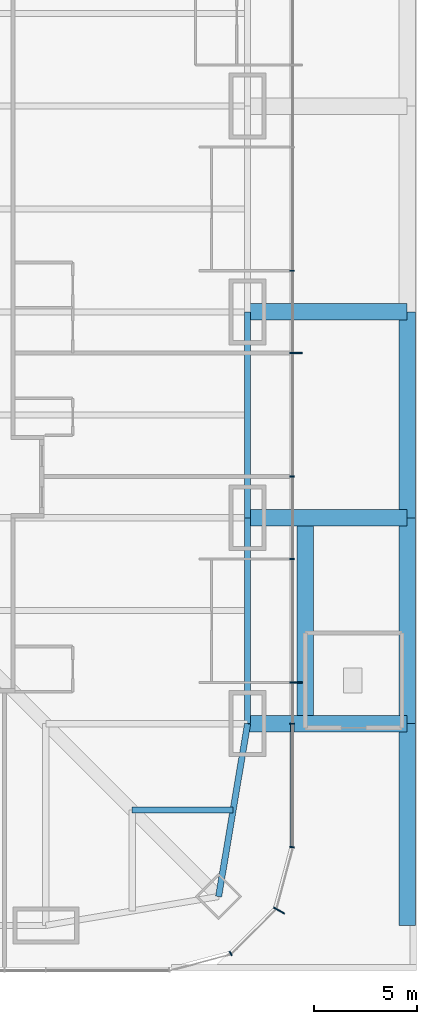
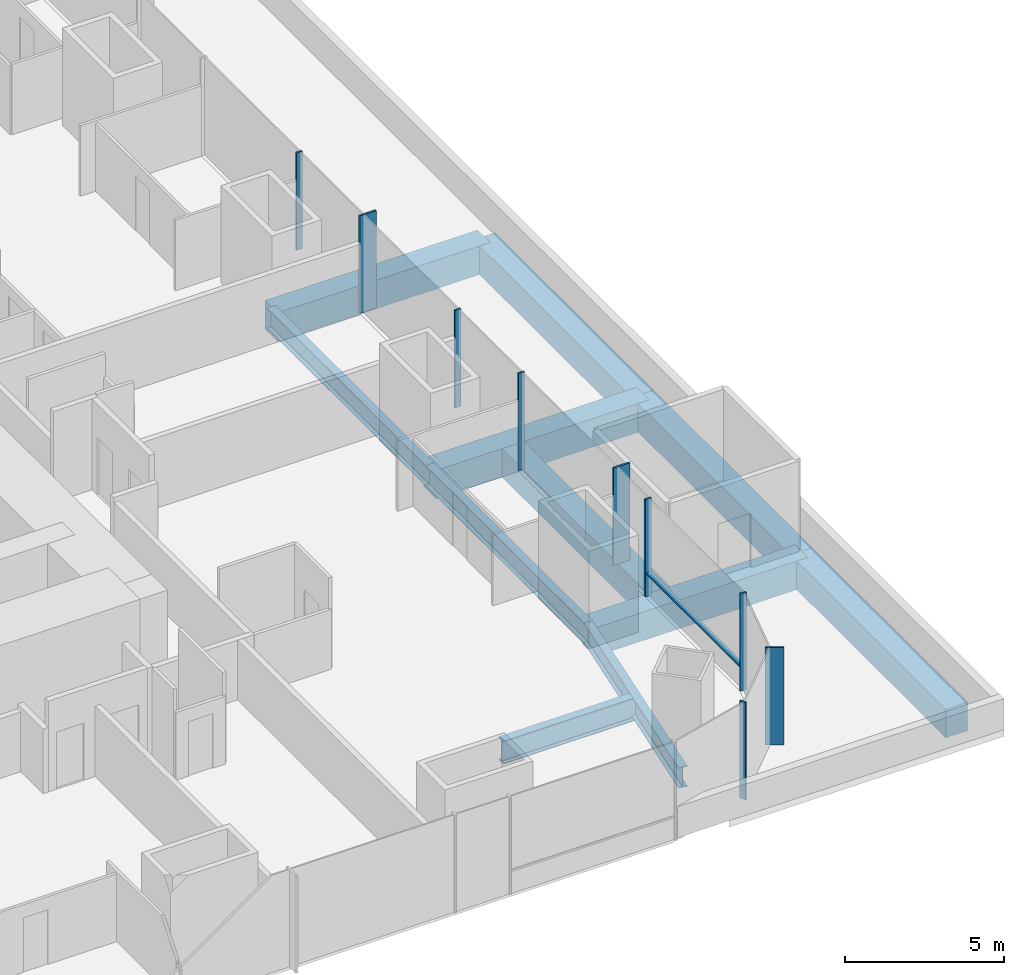
# One storey, part 8 of 20: 11 beams, 10 members, 2 elements without a shape of their own.
"""IFC4 building model written with IfcOpenShell, lengths in metres."""

from ifc_helpers import new_model, si_unit, direction, frame, origin, origin_2d, place, context, subcontext, project, spatial, rectangle, i_section, extrude, material, material_profile, profile_set, type_object, element, aggregate, save


model = new_model("IFC4")

# Units and contexts
model_context = context("Model", 3, precision=1e-05, world=origin(), true_north=direction((0.0, 1.0)))
body_context = subcontext(model_context, "Body", "Model", "MODEL_VIEW")
ifc_project = project(units=[si_unit("LENGTHUNIT", "METRE"), si_unit("AREAUNIT", "SQUARE_METRE"), si_unit("VOLUMEUNIT", "CUBIC_METRE"), si_unit("PLANEANGLEUNIT", "RADIAN"), si_unit("MASSUNIT", "GRAM", prefix="KILO")], contexts=[model_context])

# Site, building, storey
site_placement = place(None, origin())
site = spatial("IfcSite", under=ifc_project, at=site_placement, CompositionType="ELEMENT")
building_placement = place(site_placement, origin())
building = spatial("IfcBuilding", under=site, at=building_placement, Name="Khuree Lantern Residences", CompositionType="ELEMENT")
storey_placement = place(building_placement, frame((0.0, 0.0, 21.0)))
storey = spatial("IfcBuildingStorey", under=building, at=storey_placement, Name="L04", CompositionType="ELEMENT", Elevation=21.0)

# Beams
ifc_material_1 = material(Name="Steel S355", Category="steel")
ifc_material_profile_1 = material_profile(ifc_material_1, i_section(OverallWidth=0.300048828125, OverallDepth=0.889892578125, WebThickness=0.01611328125, FlangeThickness=0.030029296875, FilletRadius=0.030029296875, at=origin_2d()), Name="HE 900 A")
ifc_profile_set_1 = profile_set([ifc_material_profile_1], Name="Steel S355")
beam_type_1 = type_object("IfcBeamType", Name="B-11 SECONDARY BEAM HE 900 A", PredefinedType="BEAM", material=ifc_profile_set_1)
beam_1_placement = place(storey_placement, frame((29.09716796875, -24.197021484375, -0.695068359375), z_axis=(-1.0, 0.0, 0.0), x_axis=(0.0, -1.0, 0.0)))
element("IfcBeam", 1, at=beam_1_placement, inside=storey, type_object=beam_type_1, Name="Secondary beam E6", PredefinedType="BEAM", context=body_context, shape_type="SweptSolid", body=[
    extrude(i_section(OverallWidth=0.300048828125, OverallDepth=0.889892578125, WebThickness=0.01611328125, FlangeThickness=0.030029296875, FilletRadius=0.030029296875, at=origin_2d()), origin(), (0.0, 0.0, 1.0), 4.900146484375),
])
ifc_material_profile_2 = material_profile(ifc_material_1, i_section(OverallWidth=0.300048828125, OverallDepth=0.7900390625, WebThickness=0.014892578125, FlangeThickness=0.028076171875, FilletRadius=0.030029296875, at=origin_2d()), Name="HE 800 A")
ifc_profile_set_2 = profile_set([ifc_material_profile_2], Name="Steel S355")
beam_type_2 = type_object("IfcBeamType", Name="E-11 SPANDREL BEAM HE 800 A", PredefinedType="SPANDREL", material=ifc_profile_set_2)
for number, where, z_axis, x_axis, name in (
    (2, (29.800048828125, 0.0, -0.64501953125), (0.0, -1.0, 0.0), (1.0, 0.0, 0.0), "Spandrel beam E4"),
    (3, (29.800048828125, -10.0, -0.64501953125), (0.0, -1.0, 0.0), (1.0, 0.0, 0.0), "Spandrel beam E5"),
):
    element("IfcBeam", number, at=place(storey_placement, frame(where, z_axis=z_axis, x_axis=x_axis)), inside=storey, type_object=beam_type_2, Name=name, PredefinedType="SPANDREL", context=body_context, shape_type="SweptSolid", body=[
        extrude(i_section(OverallWidth=0.300048828125, OverallDepth=0.7900390625, WebThickness=0.014892578125, FlangeThickness=0.028076171875, FilletRadius=0.030029296875, at=origin_2d()), origin(), (0.0, 0.0, 1.0), 10.0),
    ])
beam_2_placement = place(storey_placement, frame((29.800048828125, -20.0, -0.64501953125), z_axis=(-0.165199022349, -0.986260251158, 0.0), x_axis=(0.986260251158, -0.165199022349, 0.0)))
element("IfcBeam", 4, at=beam_2_placement, inside=storey, type_object=beam_type_2, Name="Spandrel beam E6", PredefinedType="SPANDREL", context=body_context, shape_type="SweptSolid", body=[
    extrude(i_section(OverallWidth=0.300048828125, OverallDepth=0.7900390625, WebThickness=0.014892578125, FlangeThickness=0.028076171875, FilletRadius=0.030029296875, at=origin_2d()), origin(), (0.0, 0.0, 1.0), 8.510986328125),
])

# Curtain wall, member
ifc_material_2 = material(Name="Bronze anodised aluminium", Category="aluminium")
curtain_wall_type_1 = type_object("IfcCurtainWallType", Name="CW-T2 TOWER CORNER CURTAIN WALL", PredefinedType="USERDEFINED", material=ifc_material_2)
curtain_wall_1_placement = place(storey_placement, origin())
curtain_wall_1 = element("IfcCurtainWall", 5, at=curtain_wall_1_placement, inside=storey, type_object=curtain_wall_type_1, Name="L04 SOUTH-EAST CORNER CURTAIN WALL", ObjectType="Faceted corner curtain wall", PredefinedType="USERDEFINED")
ifc_material_profile_3 = material_profile(ifc_material_2, rectangle(XDim=0.06494140625, YDim=0.60009765625, at=origin_2d()), Name="F1 65X600")
ifc_profile_set_3 = profile_set([ifc_material_profile_3], Name="Bronze anodised aluminium")
member_type_1 = type_object("IfcMemberType", Name="F1 BRONZE FIN MULLION TOWER 65X600", PredefinedType="MULLION", material=ifc_profile_set_3)
member_1_placement = place(storey_placement, frame((31.326171875, -29.074951171875, 0.0), z_axis=(0.0, 0.0, 1.0), x_axis=(0.500000056923, 0.86602537092, 0.0)))
member_1 = element("IfcMember", 6, at=member_1_placement, type_object=member_type_1, Name="L04 SOUTH-EAST CORNER FIN MULLION 3", PredefinedType="MULLION", context=body_context, shape_type="SweptSolid", body=[
    extrude(rectangle(XDim=0.06494140625, YDim=0.60009765625, at=origin_2d()), origin(), (0.0, 0.0, 1.0), 3.75),
])

# Curtain wall, members
curtain_wall_type_2 = type_object("IfcCurtainWallType", Name="CW-T1 TOWER FACE CURTAIN WALL", PredefinedType="USERDEFINED", material=ifc_material_2)
curtain_wall_2_placement = place(storey_placement, origin())
curtain_wall_2 = element("IfcCurtainWall", 7, at=curtain_wall_2_placement, inside=storey, type_object=curtain_wall_type_2, Name="L04 EAST FACE CURTAIN WALL", ObjectType="Stick-built curtain wall", PredefinedType="USERDEFINED")
member_2_placement = place(storey_placement, frame((32.14990234375, -18.0, 0.0), z_axis=(0.0, 0.0, 1.0), x_axis=(0.0, 1.0, 0.0)))
member_2 = element("IfcMember", 8, at=member_2_placement, type_object=member_type_1, Name="L04 EAST FACE FIN MULLION 6", PredefinedType="MULLION", context=body_context, shape_type="SweptSolid", body=[
    extrude(rectangle(XDim=0.06494140625, YDim=0.60009765625, at=origin_2d()), origin(), (0.0, 0.0, 1.0), 3.75),
])
member_3_placement = place(storey_placement, frame((32.14990234375, -2.0, 0.0), z_axis=(0.0, 0.0, 1.0), x_axis=(0.0, 1.0, 0.0)))
member_3 = element("IfcMember", 9, at=member_3_placement, type_object=member_type_1, Name="L04 EAST FACE FIN MULLION 9", PredefinedType="MULLION", context=body_context, shape_type="SweptSolid", body=[
    extrude(rectangle(XDim=0.06494140625, YDim=0.60009765625, at=origin_2d()), origin(), (0.0, 0.0, 1.0), 3.75),
])

# Member
ifc_material_profile_4 = material_profile(ifc_material_2, rectangle(XDim=0.06494140625, YDim=0.219970703125, at=origin_2d()), Name="M1 65X220")
ifc_profile_set_4 = profile_set([ifc_material_profile_4], Name="Bronze anodised aluminium")
member_type_2 = type_object("IfcMemberType", Name="M1 BRONZE MULLION TOWER 65X220", PredefinedType="MULLION", material=ifc_profile_set_4)
member_4_placement = place(storey_placement, frame((28.97998046875, -31.16162109375, 0.0), z_axis=(0.0, 0.0, 1.0), x_axis=(0.86602537092, 0.500000056923, 0.0)))
member_4 = element("IfcMember", 10, at=member_4_placement, type_object=member_type_2, Name="L04 SOUTH-EAST CORNER MULLION 2", PredefinedType="MULLION", context=body_context, shape_type="SweptSolid", body=[
    extrude(rectangle(XDim=0.06494140625, YDim=0.219970703125, at=origin_2d()), origin(), (0.0, 0.0, 1.0), 3.75),
])

aggregate(curtain_wall_1, [member_4, member_1])

member_5_placement = place(storey_placement, frame((31.961669921875, -25.994873046875, 0.0), z_axis=(0.0, 0.0, 1.0), x_axis=(0.130526257387, 0.991444852794, 0.0)))
member_5 = element("IfcMember", 11, at=member_5_placement, type_object=member_type_2, Name="L04 EAST FACE MULLION 4", PredefinedType="MULLION", context=body_context, shape_type="SweptSolid", body=[
    extrude(rectangle(XDim=0.06494140625, YDim=0.219970703125, at=origin_2d()), origin(), (0.0, 0.0, 1.0), 3.75),
])

member_6_placement = place(storey_placement, frame((31.9599609375, -20.0, 0.0), z_axis=(0.0, 0.0, 1.0), x_axis=(0.0, 1.0, 0.0)))
member_6 = element("IfcMember", 12, at=member_6_placement, type_object=member_type_2, Name="L04 EAST FACE MULLION 5", PredefinedType="MULLION", context=body_context, shape_type="SweptSolid", body=[
    extrude(rectangle(XDim=0.06494140625, YDim=0.219970703125, at=origin_2d()), origin(), (0.0, 0.0, 1.0), 3.75),
])

member_7_placement = place(storey_placement, frame((31.9599609375, -12.0, 0.0), z_axis=(0.0, 0.0, 1.0), x_axis=(0.0, 1.0, 0.0)))
member_7 = element("IfcMember", 13, at=member_7_placement, type_object=member_type_2, Name="L04 EAST FACE MULLION 7", PredefinedType="MULLION", context=body_context, shape_type="SweptSolid", body=[
    extrude(rectangle(XDim=0.06494140625, YDim=0.219970703125, at=origin_2d()), origin(), (0.0, 0.0, 1.0), 3.75),
])

member_8_placement = place(storey_placement, frame((31.9599609375, -8.0, 0.0), z_axis=(0.0, 0.0, 1.0), x_axis=(0.0, 1.0, 0.0)))
member_8 = element("IfcMember", 14, at=member_8_placement, type_object=member_type_2, Name="L04 EAST FACE MULLION 8", PredefinedType="MULLION", context=body_context, shape_type="SweptSolid", body=[
    extrude(rectangle(XDim=0.06494140625, YDim=0.219970703125, at=origin_2d()), origin(), (0.0, 0.0, 1.0), 3.75),
])

member_9_placement = place(storey_placement, frame((31.9599609375, 2.0, 0.0), z_axis=(0.0, 0.0, 1.0), x_axis=(0.0, 1.0, 0.0)))
member_9 = element("IfcMember", 15, at=member_9_placement, type_object=member_type_2, Name="L04 EAST FACE MULLION 10", PredefinedType="MULLION", context=body_context, shape_type="SweptSolid", body=[
    extrude(rectangle(XDim=0.06494140625, YDim=0.219970703125, at=origin_2d()), origin(), (0.0, 0.0, 1.0), 3.75),
])

# Beams
ifc_material_3 = material(Name="Concrete C40/50", Category="concrete")
ifc_material_profile_5 = material_profile(ifc_material_3, rectangle(XDim=0.800048828125, YDim=1.10009765625, at=origin_2d()), Name="RC 800X1100")
ifc_profile_set_5 = profile_set([ifc_material_profile_5], Name="Concrete C40/50")
beam_type_3 = type_object("IfcBeamType", Name="RB4 PODIUM ROOF BEAM RC 800X1100", PredefinedType="BEAM", material=ifc_profile_set_5)
for number, where, z_axis, x_axis, name in (
    (16, (29.800048828125, -20.0, -0.800048828125), (1.0, 0.0, 0.0), (0.0, 1.0, 0.0), "Podium roof beam RB-2"),
    (17, (29.800048828125, -10.0, -0.800048828125), (1.0, 0.0, 0.0), (0.0, 1.0, 0.0), "Podium roof beam RB-4"),
    (18, (29.800048828125, 0.0, -0.800048828125), (1.0, 0.0, 0.0), (0.0, 1.0, 0.0), "Podium roof beam RB-6"),
):
    element("IfcBeam", number, at=place(storey_placement, frame(where, z_axis=z_axis, x_axis=x_axis)), inside=storey, type_object=beam_type_3, Name=name, PredefinedType="BEAM", context=body_context, shape_type="SweptSolid", body=[
        extrude(rectangle(XDim=0.800048828125, YDim=1.10009765625, at=origin_2d()), origin(), (0.0, 0.0, 1.0), 7.75),
    ])
beam_3_placement = place(storey_placement, frame((37.550048828125, -29.800048828125, -0.800048828125), z_axis=(0.0, 1.0, 0.0), x_axis=(-1.0, 0.0, 0.0)))
element("IfcBeam", 19, at=beam_3_placement, inside=storey, type_object=beam_type_3, Name="Podium roof beam RB-47", PredefinedType="BEAM", context=body_context, shape_type="SweptSolid", body=[
    extrude(rectangle(XDim=0.800048828125, YDim=1.10009765625, at=origin_2d()), origin(), (0.0, 0.0, 1.0), 9.800048828125),
])
for number, where, z_axis, x_axis, name in (
    (20, (37.550048828125, -20.0, -0.800048828125), (0.0, 1.0, 0.0), (-1.0, 0.0, 0.0), "Podium roof beam RB-48"),
    (21, (37.550048828125, -10.0, -0.800048828125), (0.0, 1.0, 0.0), (-1.0, 0.0, 0.0), "Podium roof beam RB-49"),
    (22, (32.60009765625, -20.0, -0.800048828125), (0.0, 1.0, 0.0), (-1.0, 0.0, 0.0), "Podium roof beam RB-2A"),
):
    element("IfcBeam", number, at=place(storey_placement, frame(where, z_axis=z_axis, x_axis=x_axis)), inside=storey, type_object=beam_type_3, Name=name, PredefinedType="BEAM", context=body_context, shape_type="SweptSolid", body=[
        extrude(rectangle(XDim=0.800048828125, YDim=1.10009765625, at=origin_2d()), origin(), (0.0, 0.0, 1.0), 10.0),
    ])

# Member
ifc_material_profile_6 = material_profile(ifc_material_2, rectangle(XDim=0.179931640625, YDim=0.06494140625, at=origin_2d()), Name="T1 180X65")
ifc_profile_set_6 = profile_set([ifc_material_profile_6], Name="Bronze anodised aluminium")
member_type_3 = type_object("IfcMemberType", Name="TRANSOM T1 TOWER 180X65", PredefinedType="USERDEFINED", material=ifc_profile_set_6)
member_10_placement = place(storey_placement, frame((31.969970703125, -25.951416015625, 0.89990234375), z_axis=(0.0, 1.0, 0.0), x_axis=(-1.0, 0.0, 0.0)))
member_10 = element("IfcMember", 23, at=member_10_placement, type_object=member_type_3, Name="L04 EAST FACE TRANSOM 4.1", ObjectType="Transom", PredefinedType="USERDEFINED", context=body_context, shape_type="SweptSolid", body=[
    extrude(rectangle(XDim=0.179931640625, YDim=0.06494140625, at=origin_2d()), origin(), (0.0, 0.0, 1.0), 5.9189453125),
])

aggregate(curtain_wall_2, [member_5, member_6, member_2, member_7, member_8, member_3, member_9, member_10])

save(model, "model.ifc")
